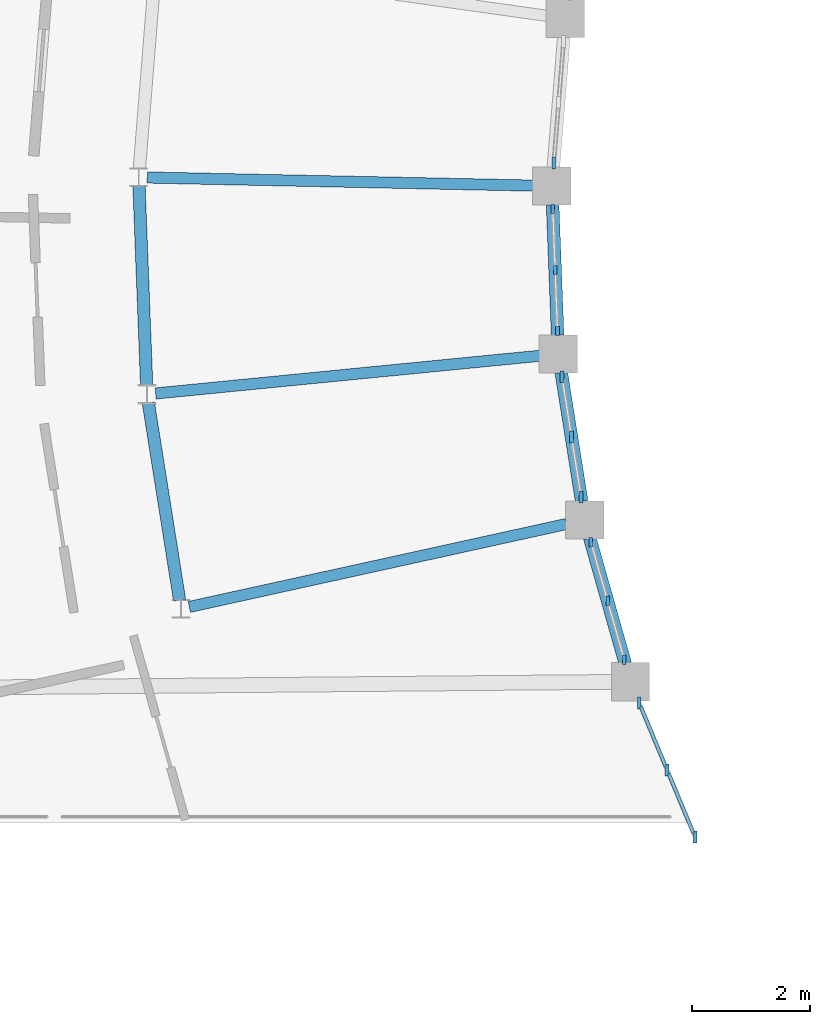
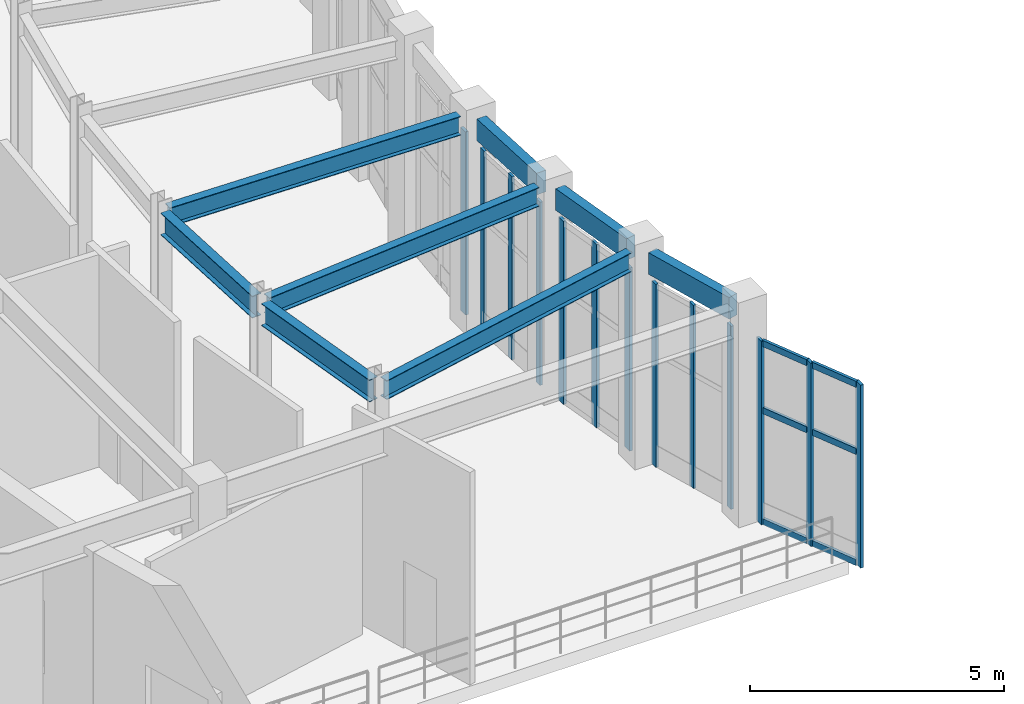
# One storey, part 21 of 93: 19 members, 8 beams, 5 elements without a shape of their own.
"""IFC4 building model written with IfcOpenShell, lengths in metres."""

from ifc_helpers import new_model, si_unit, direction, frame, origin, origin_2d, place, context, subcontext, project, spatial, rectangle, i_section, extrude, material, material_profile, profile_set, type_object, element, aggregate, save


model = new_model("IFC4")

# Units and contexts
model_context = context("Model", 3, precision=1e-05, world=origin(), true_north=direction((0.0, 1.0)))
body_context = subcontext(model_context, "Body", "Model", "MODEL_VIEW")
ifc_project = project(units=[si_unit("LENGTHUNIT", "METRE"), si_unit("AREAUNIT", "SQUARE_METRE"), si_unit("VOLUMEUNIT", "CUBIC_METRE"), si_unit("PLANEANGLEUNIT", "RADIAN"), si_unit("MASSUNIT", "GRAM", prefix="KILO")], contexts=[model_context])

# Site, building, storey
site_placement = place(None, origin())
site = spatial("IfcSite", under=ifc_project, at=site_placement, CompositionType="ELEMENT")
building_placement = place(site_placement, origin())
building = spatial("IfcBuilding", under=site, at=building_placement, Name="Cinderbank Siding Concert Hall", CompositionType="ELEMENT")
storey_placement = place(building_placement, origin())
storey = spatial("IfcBuildingStorey", under=building, at=storey_placement, Name="L01", CompositionType="ELEMENT", Elevation=0.0)

# Beams
ifc_material_1 = material(Name="Structural steel AS/NZS 3679.1 Grade 350 (340 MPa)", Category="steel")
ifc_material_profile_1 = material_profile(ifc_material_1, i_section(OverallWidth=0.18994140625, OverallDepth=0.45751953125, WebThickness=0.009033203125, FlangeThickness=0.014404296875, at=origin_2d()), Name="460UB74.6", Category="LoadBearing")
ifc_profile_set_1 = profile_set([ifc_material_profile_1], Name="Structural steel AS/NZS 3679.1 Grade 350 (340 MPa)")
beam_type_1 = type_object("IfcBeamType", Name="BM-UB460 460UB74.6", PredefinedType="BEAM", material=ifc_profile_set_1)
beam_1_placement = place(storey_placement, frame((31.6884765625, 68.50927734375, 4.893310546875), z_axis=(-0.999780521947, 0.020950129718, 0.0), x_axis=(-0.020950129718, -0.999780521947, 0.0)))
element("IfcBeam", 1, at=beam_1_placement, inside=storey, type_object=beam_type_1, Name="L01 Beam BM-UB460 #930", PredefinedType="BEAM", context=body_context, shape_type="SweptSolid", body=[
    extrude(i_section(OverallWidth=0.18994140625, OverallDepth=0.45751953125, WebThickness=0.009033203125, FlangeThickness=0.014404296875, at=origin_2d()), origin(), (0.0, 0.0, 1.0), 6.53759765625),
])
beam_2_placement = place(storey_placement, frame((31.799072265625, 65.627197265625, 4.893310546875), z_axis=(-0.995224398757, -0.097613503771, 0.0), x_axis=(0.097613503771, -0.995224398757, 0.0)))
element("IfcBeam", 2, at=beam_2_placement, inside=storey, type_object=beam_type_1, Name="L01 Beam BM-UB460 #933", PredefinedType="BEAM", context=body_context, shape_type="SweptSolid", body=[
    extrude(i_section(OverallWidth=0.18994140625, OverallDepth=0.45751953125, WebThickness=0.009033203125, FlangeThickness=0.014404296875, at=origin_2d()), origin(), (0.0, 0.0, 1.0), 6.535400390625),
])
beam_3_placement = place(storey_placement, frame((32.250244140625, 62.7783203125, 4.893310546875), z_axis=(-0.976673139677, -0.214731409519, 0.0), x_axis=(0.214731409519, -0.976673139677, 0.0)))
element("IfcBeam", 3, at=beam_3_placement, inside=storey, type_object=beam_type_1, Name="L01 Beam BM-UB460 #936", PredefinedType="BEAM", context=body_context, shape_type="SweptSolid", body=[
    extrude(i_section(OverallWidth=0.18994140625, OverallDepth=0.45751953125, WebThickness=0.009033203125, FlangeThickness=0.014404296875, at=origin_2d()), origin(), (0.0, 0.0, 1.0), 6.53759765625),
])
ifc_material_profile_2 = material_profile(ifc_material_1, i_section(OverallWidth=0.208984375, OverallDepth=0.5283203125, WebThickness=0.009521484375, FlangeThickness=0.01318359375, at=origin_2d()), Name="530UB82.0", Category="LoadBearing")
ifc_profile_set_2 = profile_set([ifc_material_profile_2], Name="Structural steel AS/NZS 3679.1 Grade 350 (340 MPa)")
beam_type_2 = type_object("IfcBeamType", Name="BM-UB530 530UB82.0", PredefinedType="BEAM", material=ifc_profile_set_2)
for number, where, z_axis, x_axis, name in (
    (4, (25.012451171875, 68.50390625, 4.85791015625), (0.038380479483, -0.999263197959, 0.0), (0.999263197959, 0.038380479483, 0.0), "L01 Beam BM-UB530 #932"),
    (5, (25.171142578125, 64.8291015625, 4.85791015625), (0.156414547922, -0.987691494951, 0.0), (0.987691494951, 0.156414547922, 0.0), "L01 Beam BM-UB530 #935"),
):
    element("IfcBeam", number, at=place(storey_placement, frame(where, z_axis=z_axis, x_axis=x_axis)), inside=storey, type_object=beam_type_2, Name=name, PredefinedType="BEAM", context=body_context, shape_type="SweptSolid", body=[
        extrude(i_section(OverallWidth=0.208984375, OverallDepth=0.5283203125, WebThickness=0.009521484375, FlangeThickness=0.01318359375, at=origin_2d()), origin(), (0.0, 0.0, 1.0), 3.384033203125),
    ])

# Curtain wall, members
ifc_material_2 = material(Name="Anodised aluminium alloy 6063-T6", Category="aluminium")
curtain_wall_type_1 = type_object("IfcCurtainWallType", Name="CW-14 Unitised Acoustic Curtain Wall 4200x3800", PredefinedType="NOTDEFINED", material=ifc_material_2)
curtain_wall_1_placement = place(storey_placement, origin())
curtain_wall_1 = element("IfcCurtainWall", 6, at=curtain_wall_1_placement, inside=storey, type_object=curtain_wall_type_1, Name="L01 Curtain Wall CW-14 #104", PredefinedType="NOTDEFINED")
ifc_material_profile_3 = material_profile(ifc_material_2, rectangle(XDim=0.06005859375, YDim=0.159912109375, at=origin_2d()), Name="ALU-MULL-60x160", Category="LoadBearing")
ifc_profile_set_3 = profile_set([ifc_material_profile_3], Name="Anodised aluminium alloy 6063-T6")
member_type_1 = type_object("IfcMemberType", Name="CW-ML1 Mullion 60x160", PredefinedType="MULLION", material=ifc_profile_set_3)
member_1_placement = place(storey_placement, frame((32.020263671875, 68.11279296875, 0.0), z_axis=(0.0, 0.0, 1.0), x_axis=(1.0, 0.0, 0.0)))
member_1 = element("IfcMember", 7, at=member_1_placement, type_object=member_type_1, Name="CW-L01-104 Mullion 0", PredefinedType="MULLION", context=body_context, shape_type="SweptSolid", body=[
    extrude(rectangle(XDim=0.06005859375, YDim=0.159912109375, at=origin_2d()), origin(), (0.0, 0.0, 1.0), 4.39990234375),
])
member_2_placement = place(storey_placement, frame((32.059814453125, 67.080322265625, 0.0), z_axis=(0.0, 0.0, 1.0), x_axis=(1.0, 0.0, 0.0)))
member_2 = element("IfcMember", 8, at=member_2_placement, type_object=member_type_1, Name="CW-L01-104 Mullion 1", PredefinedType="MULLION", context=body_context, shape_type="SweptSolid", body=[
    extrude(rectangle(XDim=0.06005859375, YDim=0.159912109375, at=origin_2d()), origin(), (0.0, 0.0, 1.0), 4.39990234375),
])
member_3_placement = place(storey_placement, frame((32.099609375, 66.047607421875, 0.0), z_axis=(0.0, 0.0, 1.0), x_axis=(1.0, 0.0, 0.0)))
member_3 = element("IfcMember", 9, at=member_3_placement, type_object=member_type_1, Name="CW-L01-104 Mullion 2", PredefinedType="MULLION", context=body_context, shape_type="SweptSolid", body=[
    extrude(rectangle(XDim=0.06005859375, YDim=0.159912109375, at=origin_2d()), origin(), (0.0, 0.0, 1.0), 4.39990234375),
])
aggregate(curtain_wall_1, [member_1, member_2, member_3])

curtain_wall_2_placement = place(storey_placement, origin())
curtain_wall_2 = element("IfcCurtainWall", 10, at=curtain_wall_2_placement, inside=storey, type_object=curtain_wall_type_1, Name="L01 Curtain Wall CW-14 #106", PredefinedType="NOTDEFINED")
member_4_placement = place(storey_placement, frame((32.666015625, 62.47119140625, 0.0), z_axis=(0.0, 0.0, 1.0), x_axis=(1.0, 0.0, 0.0)))
member_4 = element("IfcMember", 11, at=member_4_placement, type_object=member_type_1, Name="CW-L01-106 Mullion 0", PredefinedType="MULLION", context=body_context, shape_type="SweptSolid", body=[
    extrude(rectangle(XDim=0.06005859375, YDim=0.159912109375, at=origin_2d()), origin(), (0.0, 0.0, 1.0), 4.39990234375),
])
member_5_placement = place(storey_placement, frame((32.947509765625, 61.476806640625, 0.0), z_axis=(0.0, 0.0, 1.0), x_axis=(1.0, 0.0, 0.0)))
member_5 = element("IfcMember", 12, at=member_5_placement, type_object=member_type_1, Name="CW-L01-106 Mullion 1", PredefinedType="MULLION", context=body_context, shape_type="SweptSolid", body=[
    extrude(rectangle(XDim=0.06005859375, YDim=0.159912109375, at=origin_2d()), origin(), (0.0, 0.0, 1.0), 4.39990234375),
])
member_6_placement = place(storey_placement, frame((33.228759765625, 60.482421875, 0.0), z_axis=(0.0, 0.0, 1.0), x_axis=(1.0, 0.0, 0.0)))
member_6 = element("IfcMember", 13, at=member_6_placement, type_object=member_type_1, Name="CW-L01-106 Mullion 2", PredefinedType="MULLION", context=body_context, shape_type="SweptSolid", body=[
    extrude(rectangle(XDim=0.06005859375, YDim=0.159912109375, at=origin_2d()), origin(), (0.0, 0.0, 1.0), 4.39990234375),
])
aggregate(curtain_wall_2, [member_4, member_5, member_6])

# Curtain wall, member
curtain_wall_type_2 = type_object("IfcCurtainWallType", Name="CW-13 Unitised Acoustic Curtain Wall 4200x4400", PredefinedType="NOTDEFINED", material=ifc_material_2)
curtain_wall_3_placement = place(storey_placement, origin())
curtain_wall_3 = element("IfcCurtainWall", 14, at=curtain_wall_3_placement, inside=storey, type_object=curtain_wall_type_2, Name="L01 Curtain Wall CW-13 #103", PredefinedType="NOTDEFINED")
ifc_material_profile_4 = material_profile(ifc_material_2, rectangle(XDim=0.06494140625, YDim=0.199951171875, at=origin_2d()), Name="ALU-MULL-65x200", Category="LoadBearing")
ifc_profile_set_4 = profile_set([ifc_material_profile_4], Name="Anodised aluminium alloy 6063-T6")
member_type_2 = type_object("IfcMemberType", Name="CW-ML2 Mullion 65x200", PredefinedType="MULLION", material=ifc_profile_set_4)
member_7_placement = place(storey_placement, frame((32.03662109375, 68.891357421875, 0.0), z_axis=(0.0, 0.0, 1.0), x_axis=(1.0, 0.0, 0.0)))
member_7 = element("IfcMember", 15, at=member_7_placement, type_object=member_type_2, Name="CW-L01-103 Mullion 2", PredefinedType="MULLION", context=body_context, shape_type="SweptSolid", body=[
    extrude(rectangle(XDim=0.06494140625, YDim=0.199951171875, at=origin_2d()), origin(), (0.0, 0.0, 1.0), 4.39990234375),
])
aggregate(curtain_wall_3, [member_7])

# Curtain wall, members
curtain_wall_4_placement = place(storey_placement, origin())
curtain_wall_4 = element("IfcCurtainWall", 16, at=curtain_wall_4_placement, inside=storey, type_object=curtain_wall_type_2, Name="L01 Curtain Wall CW-13 #105", PredefinedType="NOTDEFINED")
member_8_placement = place(storey_placement, frame((32.175537109375, 65.272705078125, 0.0), z_axis=(0.0, 0.0, 1.0), x_axis=(1.0, 0.0, 0.0)))
member_8 = element("IfcMember", 17, at=member_8_placement, type_object=member_type_2, Name="CW-L01-105 Mullion 0", PredefinedType="MULLION", context=body_context, shape_type="SweptSolid", body=[
    extrude(rectangle(XDim=0.06494140625, YDim=0.199951171875, at=origin_2d()), origin(), (0.0, 0.0, 1.0), 4.39990234375),
])
member_9_placement = place(storey_placement, frame((32.337158203125, 64.252197265625, 0.0), z_axis=(0.0, 0.0, 1.0), x_axis=(1.0, 0.0, 0.0)))
member_9 = element("IfcMember", 18, at=member_9_placement, type_object=member_type_2, Name="CW-L01-105 Mullion 1", PredefinedType="MULLION", context=body_context, shape_type="SweptSolid", body=[
    extrude(rectangle(XDim=0.06494140625, YDim=0.199951171875, at=origin_2d()), origin(), (0.0, 0.0, 1.0), 4.39990234375),
])
member_10_placement = place(storey_placement, frame((32.498779296875, 63.231689453125, 0.0), z_axis=(0.0, 0.0, 1.0), x_axis=(1.0, 0.0, 0.0)))
member_10 = element("IfcMember", 19, at=member_10_placement, type_object=member_type_2, Name="CW-L01-105 Mullion 2", PredefinedType="MULLION", context=body_context, shape_type="SweptSolid", body=[
    extrude(rectangle(XDim=0.06494140625, YDim=0.199951171875, at=origin_2d()), origin(), (0.0, 0.0, 1.0), 4.39990234375),
])
aggregate(curtain_wall_4, [member_8, member_9, member_10])

curtain_wall_5_placement = place(storey_placement, origin())
curtain_wall_5 = element("IfcCurtainWall", 20, at=curtain_wall_5_placement, inside=storey, type_object=curtain_wall_type_2, Name="L01 Curtain Wall CW-13 #107", PredefinedType="NOTDEFINED")
member_11_placement = place(storey_placement, frame((33.48486328125, 59.7470703125, 0.0), z_axis=(0.0, 0.0, 1.0), x_axis=(1.0, 0.0, 0.0)))
member_11 = element("IfcMember", 21, at=member_11_placement, type_object=member_type_2, Name="CW-L01-107 Mullion 0", PredefinedType="MULLION", context=body_context, shape_type="SweptSolid", body=[
    extrude(rectangle(XDim=0.06494140625, YDim=0.199951171875, at=origin_2d()), origin(), (0.0, 0.0, 1.0), 4.39990234375),
])
member_12_placement = place(storey_placement, frame((33.956787109375, 58.613037109375, 0.0), z_axis=(0.0, 0.0, 1.0), x_axis=(1.0, 0.0, 0.0)))
member_12 = element("IfcMember", 22, at=member_12_placement, type_object=member_type_2, Name="CW-L01-107 Mullion 1", PredefinedType="MULLION", context=body_context, shape_type="SweptSolid", body=[
    extrude(rectangle(XDim=0.06494140625, YDim=0.199951171875, at=origin_2d()), origin(), (0.0, 0.0, 1.0), 4.39990234375),
])
member_13_placement = place(storey_placement, frame((34.428955078125, 57.47900390625, 0.0), z_axis=(0.0, 0.0, 1.0), x_axis=(1.0, 0.0, 0.0)))
member_13 = element("IfcMember", 23, at=member_13_placement, type_object=member_type_2, Name="CW-L01-107 Mullion 2", PredefinedType="MULLION", context=body_context, shape_type="SweptSolid", body=[
    extrude(rectangle(XDim=0.06494140625, YDim=0.199951171875, at=origin_2d()), origin(), (0.0, 0.0, 1.0), 4.39990234375),
])
ifc_material_profile_5 = material_profile(ifc_material_2, rectangle(XDim=0.06494140625, YDim=0.14990234375, at=origin_2d()), Name="ALU-TRAN-65x150", Category="LoadBearing")
ifc_profile_set_5 = profile_set([ifc_material_profile_5], Name="Anodised aluminium alloy 6063-T6")
member_type_3 = type_object("IfcMemberType", Name="CW-TR2 Transom 65x150", PredefinedType="USERDEFINED", material=ifc_profile_set_5)
member_14_placement = place(storey_placement, frame((33.508544921875, 59.6904296875, 0.06005859375), z_axis=(0.38430171074, -0.923207557986, 0.0), x_axis=(0.923207557986, 0.38430171074, 0.0)))
member_14 = element("IfcMember", 24, at=member_14_placement, type_object=member_type_3, Name="CW-L01-107 Transom 0-0", ObjectType="TRANSOM", PredefinedType="USERDEFINED", context=body_context, shape_type="SweptSolid", body=[
    extrude(rectangle(XDim=0.06494140625, YDim=0.14990234375, at=origin_2d()), origin(), (0.0, 0.0, 1.0), 1.10546875),
])
member_15_placement = place(storey_placement, frame((33.508544921875, 59.6904296875, 2.72802734375), z_axis=(0.38430171074, -0.923207557986, 0.0), x_axis=(0.923207557986, 0.38430171074, 0.0)))
member_15 = element("IfcMember", 25, at=member_15_placement, type_object=member_type_3, Name="CW-L01-107 Transom 0-1", ObjectType="TRANSOM", PredefinedType="USERDEFINED", context=body_context, shape_type="SweptSolid", body=[
    extrude(rectangle(XDim=0.06494140625, YDim=0.14990234375, at=origin_2d()), origin(), (0.0, 0.0, 1.0), 1.10546875),
])
member_16_placement = place(storey_placement, frame((33.508544921875, 59.6904296875, 4.340087890625), z_axis=(0.38430171074, -0.923207557986, 0.0), x_axis=(0.923207557986, 0.38430171074, 0.0)))
member_16 = element("IfcMember", 26, at=member_16_placement, type_object=member_type_3, Name="CW-L01-107 Transom 0-2", ObjectType="TRANSOM", PredefinedType="USERDEFINED", context=body_context, shape_type="SweptSolid", body=[
    extrude(rectangle(XDim=0.06494140625, YDim=0.14990234375, at=origin_2d()), origin(), (0.0, 0.0, 1.0), 1.10546875),
])
member_17_placement = place(storey_placement, frame((33.98046875, 58.556396484375, 0.06005859375), z_axis=(0.38430171074, -0.923207557986, 0.0), x_axis=(0.923207557986, 0.38430171074, 0.0)))
member_17 = element("IfcMember", 27, at=member_17_placement, type_object=member_type_3, Name="CW-L01-107 Transom 1-0", ObjectType="TRANSOM", PredefinedType="USERDEFINED", context=body_context, shape_type="SweptSolid", body=[
    extrude(rectangle(XDim=0.06494140625, YDim=0.14990234375, at=origin_2d()), origin(), (0.0, 0.0, 1.0), 1.10546875),
])
member_18_placement = place(storey_placement, frame((33.98046875, 58.556396484375, 2.72802734375), z_axis=(0.38430171074, -0.923207557986, 0.0), x_axis=(0.923207557986, 0.38430171074, 0.0)))
member_18 = element("IfcMember", 28, at=member_18_placement, type_object=member_type_3, Name="CW-L01-107 Transom 1-1", ObjectType="TRANSOM", PredefinedType="USERDEFINED", context=body_context, shape_type="SweptSolid", body=[
    extrude(rectangle(XDim=0.06494140625, YDim=0.14990234375, at=origin_2d()), origin(), (0.0, 0.0, 1.0), 1.10546875),
])
member_19_placement = place(storey_placement, frame((33.98046875, 58.556396484375, 4.340087890625), z_axis=(0.38430171074, -0.923207557986, 0.0), x_axis=(0.923207557986, 0.38430171074, 0.0)))
member_19 = element("IfcMember", 29, at=member_19_placement, type_object=member_type_3, Name="CW-L01-107 Transom 1-2", ObjectType="TRANSOM", PredefinedType="USERDEFINED", context=body_context, shape_type="SweptSolid", body=[
    extrude(rectangle(XDim=0.06494140625, YDim=0.14990234375, at=origin_2d()), origin(), (0.0, 0.0, 1.0), 1.10546875),
])
aggregate(curtain_wall_5, [member_11, member_12, member_13, member_14, member_15, member_16, member_17, member_18, member_19])

# Beams
ifc_material_3 = material(Name="Spotted gum glulam timber GL18 (42 MPa)", Category="wood")
ifc_material_profile_6 = material_profile(ifc_material_3, rectangle(XDim=0.215087890625, YDim=0.52001953125, at=origin_2d()), Name="GL18-215x520", Category="LoadBearing")
ifc_profile_set_6 = profile_set([ifc_material_profile_6], Name="Spotted gum glulam timber GL18 (42 MPa)")
beam_type_3 = type_object("IfcBeamType", Name="SP-GL520 GL18-215x520", PredefinedType="SPANDREL", material=ifc_profile_set_6)
beam_4_placement = place(storey_placement, frame((32.017578125, 68.185791015625, 4.862060546875), z_axis=(0.038289040076, -0.999266705845, 0.0), x_axis=(0.999266705845, 0.038289040076, 0.0)))
element("IfcBeam", 30, at=beam_4_placement, inside=storey, type_object=beam_type_3, Name="L01 Beam SP-GL520 #931", PredefinedType="SPANDREL", context=body_context, shape_type="SweptSolid", body=[
    extrude(rectangle(XDim=0.215087890625, YDim=0.52001953125, at=origin_2d()), origin(), (0.0, 0.0, 1.0), 2.212646484375),
])
for number, where, z_axis, x_axis, name in (
    (31, (32.1640625, 65.344970703125, 4.862060546875), (0.15644980143, -0.987685911428, 0.0), (0.987685911428, 0.15644980143, 0.0), "L01 Beam SP-GL520 #934"),
    (32, (32.646240234375, 62.54150390625, 4.862060546875), (0.272272359164, -0.962220225538, 0.0), (0.962220225538, 0.272272359164, 0.0), "L01 Beam SP-GL520 #937"),
):
    element("IfcBeam", number, at=place(storey_placement, frame(where, z_axis=z_axis, x_axis=x_axis)), inside=storey, type_object=beam_type_3, Name=name, PredefinedType="SPANDREL", context=body_context, shape_type="SweptSolid", body=[
        extrude(rectangle(XDim=0.215087890625, YDim=0.52001953125, at=origin_2d()), origin(), (0.0, 0.0, 1.0), 2.212890625),
    ])

save(model, "model.ifc")
